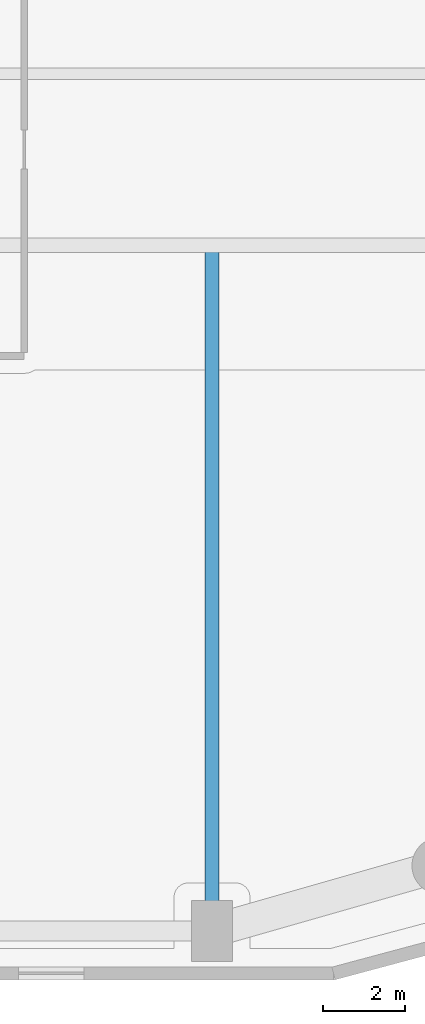
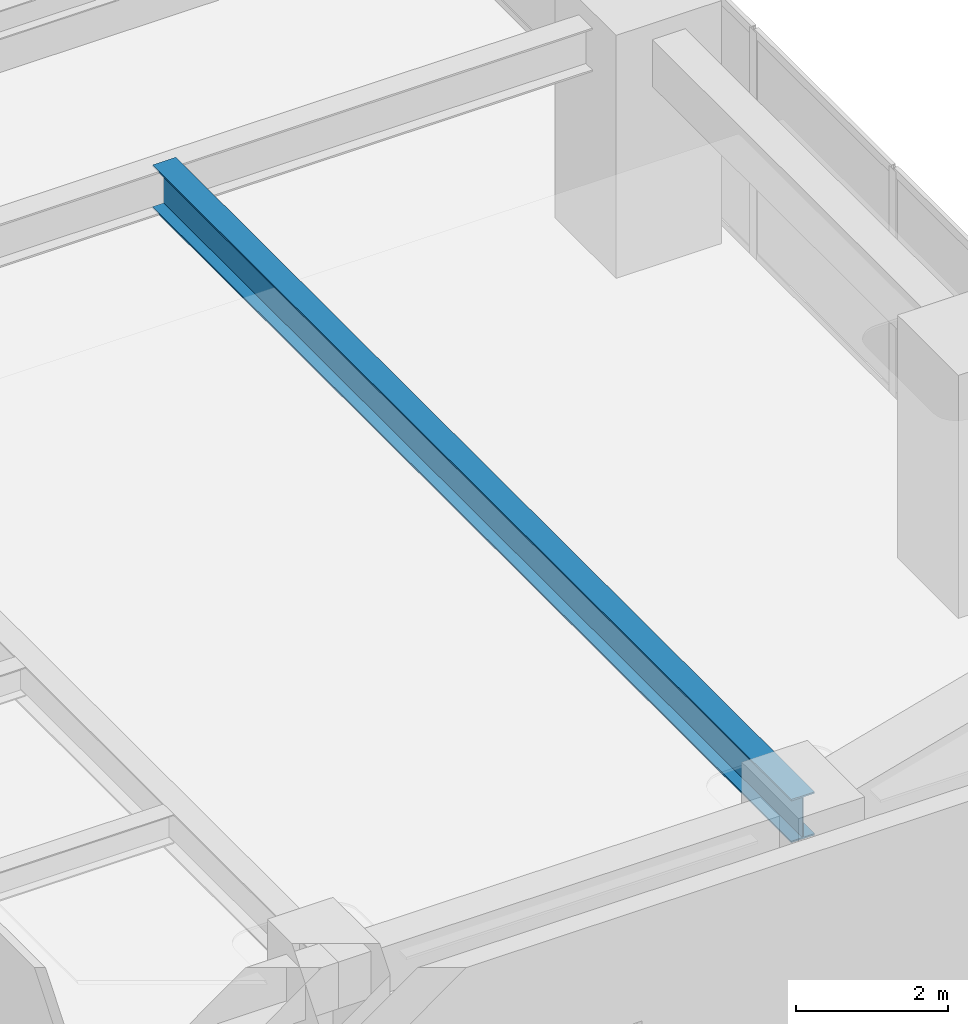
# One storey, part 5 of 29: 1 beam.
"""IFC4 building model written with IfcOpenShell, lengths in metres."""

from ifc_helpers import new_model, si_unit, direction, frame, origin, origin_2d, place, context, subcontext, project, spatial, i_section, extrude, material, material_profile, profile_set, type_object, element, save


model = new_model("IFC4")

# Units and contexts
model_context = context("Model", 3, precision=1e-05, world=origin(), true_north=direction((0.0, 1.0)))
body_context = subcontext(model_context, "Body", "Model", "MODEL_VIEW")
ifc_project = project(units=[si_unit("LENGTHUNIT", "METRE"), si_unit("AREAUNIT", "SQUARE_METRE"), si_unit("VOLUMEUNIT", "CUBIC_METRE"), si_unit("PLANEANGLEUNIT", "RADIAN"), si_unit("MASSUNIT", "GRAM", prefix="KILO")], contexts=[model_context])

# Site, building, storey
site_placement = place(None, origin())
site = spatial("IfcSite", under=ifc_project, at=site_placement, CompositionType="ELEMENT")
building_placement = place(site_placement, origin())
building = spatial("IfcBuilding", under=site, at=building_placement, Name="Kiyonajd Concourse Tower", CompositionType="ELEMENT")
storey_placement = place(building_placement, frame((0.0, 0.0, 48.89990234375)))
storey = spatial("IfcBuildingStorey", under=building, at=storey_placement, Name="L13", CompositionType="ELEMENT", Elevation=48.89990234375)

# Beam
ifc_material = material(Name="Steel ASTM A992 Grade 50", Category="steel")
ifc_material_profile = material_profile(ifc_material, i_section(OverallWidth=0.35498046875, OverallDepth=0.695068359375, WebThickness=0.015380859375, FlangeThickness=0.02490234375, at=origin_2d()), Name="W690X217")
ifc_profile_set = profile_set([ifc_material_profile], Name="Steel ASTM A992 Grade 50")
beam_type = type_object("IfcBeamType", Name="BM-TWR-690", PredefinedType="BEAM", material=ifc_profile_set)
beam_placement = place(storey_placement, frame((70.800048828125, 10.800048828125, 3.29248046875), z_axis=(0.0, 1.0, 0.0), x_axis=(-1.0, 0.0, 0.0)))
element("IfcBeam", 1, at=beam_placement, inside=storey, type_object=beam_type, Name="L13 South Lease Girder", PredefinedType="BEAM", context=body_context, shape_type="SweptSolid", body=[
    extrude(i_section(OverallWidth=0.35498046875, OverallDepth=0.695068359375, WebThickness=0.015380859375, FlangeThickness=0.02490234375, at=origin_2d()), origin(), (0.0, 0.0, 1.0), 16.800048828125),
])

save(model, "model.ifc")
